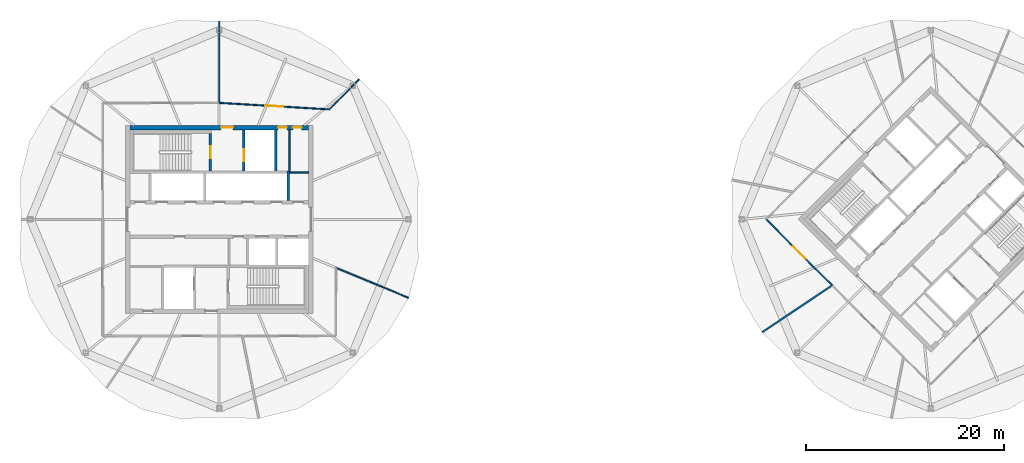
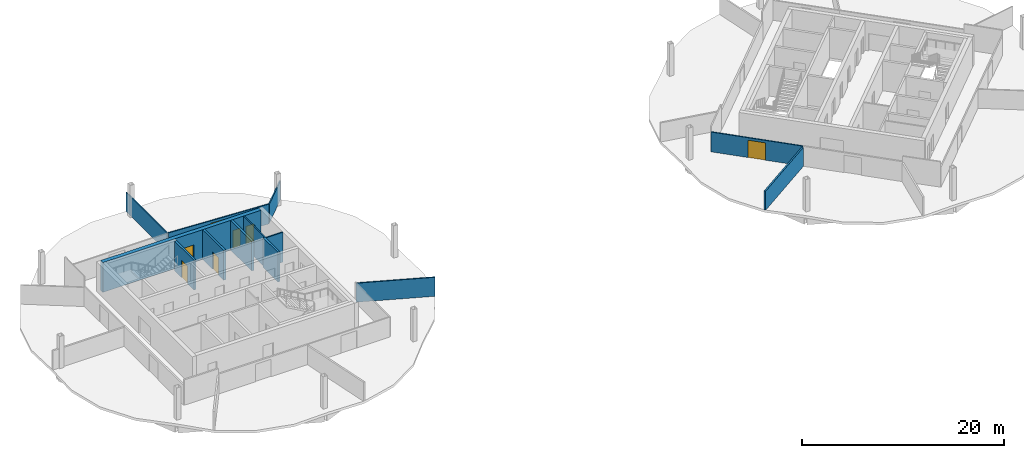
# One storey, part 6 of 10: 13 walls, 7 doors, 7 openings.
"""IFC4 building model written with IfcOpenShell, lengths in metres."""

from ifc_helpers import new_model, si_unit, direction, frame, frame_2d, origin, place, context, subcontext, project, spatial, rectangle, extrude, material, layer, layer_set, type_object, element, fill, save


model = new_model("IFC4")

# Units and contexts
model_context = context("Model", 3, precision=1e-05, world=origin(), true_north=direction((0.0, 1.0)))
body_context = subcontext(model_context, "Body", "Model", "MODEL_VIEW")
ifc_project = project(units=[si_unit("LENGTHUNIT", "METRE"), si_unit("AREAUNIT", "SQUARE_METRE"), si_unit("VOLUMEUNIT", "CUBIC_METRE"), si_unit("PLANEANGLEUNIT", "RADIAN"), si_unit("MASSUNIT", "GRAM", prefix="KILO")], contexts=[model_context])

# Site, building, storey
site_placement = place(None, origin())
site = spatial("IfcSite", under=ifc_project, at=site_placement, CompositionType="ELEMENT")
building_placement = place(site_placement, origin())
building = spatial("IfcBuilding", under=site, at=building_placement, Name="Ogive Gate Towers", CompositionType="ELEMENT")
storey_placement = place(building_placement, frame((0.0, 0.0, 232.800048828125)))
storey = spatial("IfcBuildingStorey", under=building, at=storey_placement, Name="L55", CompositionType="ELEMENT", Elevation=232.800048828125)

# Wall
ifc_material_1 = material(Name="Gypsum board acoustic partition")
ifc_layer_1 = layer(ifc_material_1, 0.175048828125)
ifc_layer_set_1 = layer_set([ifc_layer_1], Name="Acoustic partition 175")
wall_type_1 = type_object("IfcWallType", Name="Acoustic partition 175", PredefinedType="PARTITIONING", material=ifc_layer_set_1)
wall_1_placement = place(storey_placement, frame((18.918701171875, -11.424072265625, 0.0), z_axis=(0.0, 0.0, 1.0), x_axis=(0.831218279954, 0.555946194402, 0.0)))
element("IfcWall", 1, at=wall_1_placement, inside=storey, type_object=wall_type_1, Name="Partition T2-L55-005", PredefinedType="PARTITIONING", context=body_context, shape_type="SweptSolid", body=[
    extrude(rectangle(XDim=8.451416015625, YDim=0.175048828125, at=frame_2d((4.2255859375, 0.0))), origin(), (0.0, 0.0, 1.0), 2.300048828125),
])

# Wall, openings, doors
ifc_material_2 = material(Name="Concrete C60/75", Category="concrete")
ifc_layer_2 = layer(ifc_material_2, 0.449951171875)
ifc_layer_set_2 = layer_set([ifc_layer_2], Name="Core wall 450 mm")
wall_type_2 = type_object("IfcWallType", Name="Core wall 450 mm", PredefinedType="SHEAR", material=ifc_layer_set_2)
wall_2_placement = place(storey_placement, frame((-45.050048828125, 9.27490234375, 0.0), z_axis=(0.0, 0.0, 1.0), x_axis=(1.0, 0.0, 0.0)))
wall_2 = element("IfcWall", 2, at=wall_2_placement, inside=storey, type_object=wall_type_2, Name="T1 L55 Core wall 450 mm", PredefinedType="SHEAR", context=body_context, shape_type="SweptSolid", body=[
    extrude(rectangle(XDim=18.10009765625, YDim=0.449951171875, at=frame_2d((9.050048828125, 0.0))), origin(), (0.0, 0.0, 1.0), 3.599853515625),
])
opening_1_placement = place(wall_2_placement, frame((9.25, 0.0, 0.0)))
opening_1 = element("IfcOpeningElement", 3, at=opening_1_placement, cuts=wall_2, Name="Opening KD-T1-L55-18", PredefinedType="OPENING", context=body_context, shape_type="SweptSolid", body=[
    extrude(rectangle(XDim=1.199951171875, YDim=2.10009765625, at=frame_2d((0.60009765625, 1.050048828125))), frame((0.0, 0.23486328125, 0.0), z_axis=(0.0, -1.0, 0.0), x_axis=(1.0, 0.0, 0.0)), (0.0, 0.0, 1.0), 0.469970703125),
])
opening_2_placement = place(wall_2_placement, frame((15.0, 0.0, 0.0)))
opening_2 = element("IfcOpeningElement", 4, at=opening_2_placement, cuts=wall_2, Name="Opening KD-T1-L55-20", PredefinedType="OPENING", context=body_context, shape_type="SweptSolid", body=[
    extrude(rectangle(XDim=0.89990234375, YDim=2.10009765625, at=frame_2d((0.449951171875, 1.050048828125))), frame((0.0, 0.23486328125, 0.0), z_axis=(0.0, -1.0, 0.0), x_axis=(1.0, 0.0, 0.0)), (0.0, 0.0, 1.0), 0.469970703125),
])
opening_3_placement = place(wall_2_placement, frame((16.5, 0.0, 0.0)))
opening_3 = element("IfcOpeningElement", 5, at=opening_3_placement, cuts=wall_2, Name="Opening KD-T1-L55-21", PredefinedType="OPENING", context=body_context, shape_type="SweptSolid", body=[
    extrude(rectangle(XDim=0.89990234375, YDim=2.10009765625, at=frame_2d((0.449951171875, 1.050048828125))), frame((0.0, 0.23486328125, 0.0), z_axis=(0.0, -1.0, 0.0), x_axis=(1.0, 0.0, 0.0)), (0.0, 0.0, 1.0), 0.469970703125),
])
ifc_material_3 = material(Name="Timber door", Category="wood")
door_type_1 = type_object("IfcDoorType", Name="Core WC door 900 x 2100", OperationType="NOTDEFINED", PredefinedType="DOOR", material=ifc_material_3)
door_1_placement = place(opening_2_placement, origin())
door_1 = element("IfcDoor", 6, at=door_1_placement, inside=storey, type_object=door_type_1, Name="T1 L55 Core door", OperationType="SINGLE_SWING_LEFT", OverallHeight=2.10009765625, OverallWidth=0.89990234375, PredefinedType="DOOR", context=body_context, shape_type="SweptSolid", body=[
    extrude(rectangle(XDim=0.89990234375, YDim=2.10009765625, at=frame_2d((0.449951171875, 1.050048828125))), frame((0.0, 0.02490234375, 0.0), z_axis=(0.0, -1.0, 0.0), x_axis=(1.0, 0.0, 0.0)), (0.0, 0.0, 1.0), 0.050048828125),
])
fill(opening_2, door_1)
door_2_placement = place(opening_3_placement, origin())
door_2 = element("IfcDoor", 7, at=door_2_placement, inside=storey, type_object=door_type_1, Name="T1 L55 Core door", OperationType="SINGLE_SWING_RIGHT", OverallHeight=2.10009765625, OverallWidth=0.89990234375, PredefinedType="DOOR", context=body_context, shape_type="SweptSolid", body=[
    extrude(rectangle(XDim=0.89990234375, YDim=2.10009765625, at=frame_2d((0.449951171875, 1.050048828125))), frame((0.0, 0.02490234375, 0.0), z_axis=(0.0, -1.0, 0.0), x_axis=(1.0, 0.0, 0.0)), (0.0, 0.0, 1.0), 0.050048828125),
])
fill(opening_3, door_2)
ifc_material_4 = material(Name="Steel fire door", Category="steel")
door_type_2 = type_object("IfcDoorType", Name="Core door FD60S 1200 x 2100", OperationType="NOTDEFINED", PredefinedType="DOOR", material=ifc_material_4)
door_3_placement = place(opening_1_placement, origin())
door_3 = element("IfcDoor", 8, at=door_3_placement, inside=storey, type_object=door_type_2, Name="T1 L55 Fire-fighting lobby door", OperationType="SINGLE_SWING_LEFT", OverallHeight=2.10009765625, OverallWidth=1.199951171875, PredefinedType="DOOR", context=body_context, shape_type="SweptSolid", body=[
    extrude(rectangle(XDim=1.199951171875, YDim=2.10009765625, at=frame_2d((0.60009765625, 1.050048828125))), frame((0.0, 0.02490234375, 0.0), z_axis=(0.0, -1.0, 0.0), x_axis=(1.0, 0.0, 0.0)), (0.0, 0.0, 1.0), 0.050048828125),
])
fill(opening_1, door_3)

# Walls
ifc_material_5 = material(Name="Gypsum board partition")
ifc_layer_3 = layer(ifc_material_5, 0.125)
ifc_layer_set_3 = layer_set([ifc_layer_3], Name="Partition 125")
wall_type_3 = type_object("IfcWallType", Name="Partition 125", PredefinedType="PARTITIONING", material=ifc_layer_set_3)
wall_3_placement = place(storey_placement, frame((-21.8232421875, 14.1767578125, 0.0), z_axis=(0.0, 0.0, 1.0), x_axis=(-0.707106781187, -0.707106781187, 0.0)))
element("IfcWall", 9, at=wall_3_placement, inside=storey, type_object=wall_type_3, Name="Partition T1-L55-001", PredefinedType="PARTITIONING", context=body_context, shape_type="SweptSolid", body=[
    extrude(rectangle(XDim=4.246337890625, YDim=0.125, at=frame_2d((2.123046875, 0.0))), origin(), (0.0, 0.0, 1.0), 2.300048828125),
])
wall_4_placement = place(storey_placement, frame((-36.0, 20.049072265625, 0.0), z_axis=(0.0, 0.0, 1.0), x_axis=(0.0, -1.0, 0.0)))
element("IfcWall", 10, at=wall_4_placement, inside=storey, type_object=wall_type_3, Name="Partition T1-L55-002", PredefinedType="PARTITIONING", context=body_context, shape_type="SweptSolid", body=[
    extrude(rectangle(XDim=8.196533203125, YDim=0.125, at=frame_2d((4.09814453125, 0.0))), origin(), (0.0, 0.0, 1.0), 2.300048828125),
])
wall_5_placement = place(storey_placement, frame((-16.829345703125, -7.940673828125, 0.0), z_axis=(0.0, 0.0, 1.0), x_axis=(-0.923885322284, 0.382669454317, 0.0)))
element("IfcWall", 11, at=wall_5_placement, inside=storey, type_object=wall_type_3, Name="Partition T1-L55-007", PredefinedType="PARTITIONING", context=body_context, shape_type="SweptSolid", body=[
    extrude(rectangle(XDim=7.896484375, YDim=0.125, at=frame_2d((3.9482421875, 0.0))), origin(), (0.0, 0.0, 1.0), 2.300048828125),
])

# Wall, opening, door
wall_6_placement = place(storey_placement, frame((-24.8701171875, 11.1298828125, 0.0), z_axis=(0.0, 0.0, 1.0), x_axis=(-0.998245561238, 0.059209791998, 0.0)))
wall_6 = element("IfcWall", 12, at=wall_6_placement, inside=storey, type_object=wall_type_3, Name="Partition T1-L55-011", PredefinedType="PARTITIONING", context=body_context, shape_type="SweptSolid", body=[
    extrude(rectangle(XDim=11.1494140625, YDim=0.125, at=frame_2d((5.57470703125, 0.0))), origin(), (0.0, 0.0, 1.0), 2.39990234375),
])
opening_4_placement = place(wall_6_placement, frame((4.675048828125, 0.0, 0.0)))
opening_4 = element("IfcOpeningElement", 13, at=opening_4_placement, cuts=wall_6, Name="Opening T1-L55-D03", PredefinedType="OPENING", context=body_context, shape_type="SweptSolid", body=[
    extrude(rectangle(XDim=1.800048828125, YDim=2.10009765625, at=frame_2d((0.89990234375, 1.050048828125))), frame((0.0, 0.072509765625, 0.0), z_axis=(0.0, -1.0, 0.0), x_axis=(1.0, 0.0, 0.0)), (0.0, 0.0, 1.0), 0.14501953125),
])
door_type_3 = type_object("IfcDoorType", Name="Door pair 1800", OperationType="NOTDEFINED", PredefinedType="DOOR", material=ifc_material_3)
door_4_placement = place(opening_4_placement, origin())
door_4 = element("IfcDoor", 14, at=door_4_placement, inside=storey, type_object=door_type_3, Name="Door T1-L55-D03", OperationType="DOUBLE_DOOR_DOUBLE_SWING", OverallHeight=2.10009765625, OverallWidth=1.800048828125, PredefinedType="DOOR", context=body_context, shape_type="SweptSolid", body=[
    extrude(rectangle(XDim=1.800048828125, YDim=2.10009765625, at=frame_2d((0.89990234375, 1.050048828125))), frame((0.0, 0.02490234375, 0.0), z_axis=(0.0, -1.0, 0.0), x_axis=(1.0, 0.0, 0.0)), (0.0, 0.0, 1.0), 0.050048828125),
])
fill(opening_4, door_4)

wall_7_placement = place(storey_placement, frame((19.340576171875, 0.0, 0.0), z_axis=(0.0, 0.0, 1.0), x_axis=(0.707055065632, -0.707158492959, 0.0)))
wall_7 = element("IfcWall", 15, at=wall_7_placement, inside=storey, type_object=wall_type_3, Name="Partition T2-L55-008", PredefinedType="PARTITIONING", context=body_context, shape_type="SweptSolid", body=[
    extrude(rectangle(XDim=9.44189453125, YDim=0.125, at=frame_2d((4.720947265625, 0.0))), origin(), (0.0, 0.0, 1.0), 2.39990234375),
])
opening_5_placement = place(wall_7_placement, frame((3.821044921875, 0.0, 0.0)))
opening_5 = element("IfcOpeningElement", 16, at=opening_5_placement, cuts=wall_7, Name="Opening T2-L55-D01", PredefinedType="OPENING", context=body_context, shape_type="SweptSolid", body=[
    extrude(rectangle(XDim=1.800048828125, YDim=2.10009765625, at=frame_2d((0.89990234375, 1.050048828125))), frame((0.0, 0.072509765625, 0.0), z_axis=(0.0, -1.0, 0.0), x_axis=(1.0, 0.0, 0.0)), (0.0, 0.0, 1.0), 0.14501953125),
])
door_5_placement = place(opening_5_placement, origin())
door_5 = element("IfcDoor", 17, at=door_5_placement, inside=storey, type_object=door_type_3, Name="Door T2-L55-D01", OperationType="DOUBLE_DOOR_DOUBLE_SWING", OverallHeight=2.10009765625, OverallWidth=1.800048828125, PredefinedType="DOOR", context=body_context, shape_type="SweptSolid", body=[
    extrude(rectangle(XDim=1.800048828125, YDim=2.10009765625, at=frame_2d((0.89990234375, 1.050048828125))), frame((0.0, 0.02490234375, 0.0), z_axis=(0.0, -1.0, 0.0), x_axis=(1.0, 0.0, 0.0)), (0.0, 0.0, 1.0), 0.050048828125),
])
fill(opening_5, door_5)

# Walls
ifc_layer_4 = layer(ifc_material_5, 0.14990234375)
ifc_layer_set_4 = layer_set([ifc_layer_4], Name="Room partition 150 mm")
wall_type_4 = type_object("IfcWallType", Name="Room partition 150 mm", PredefinedType="PARTITIONING", material=ifc_layer_set_4)
wall_8_placement = place(storey_placement, frame((-28.875, 4.75, 0.0), z_axis=(0.0, 0.0, 1.0), x_axis=(1.0, 0.0, 0.0)))
element("IfcWall", 18, at=wall_8_placement, inside=storey, type_object=wall_type_4, Name="T1 L55 Room partition 150 mm", PredefinedType="PARTITIONING", context=body_context, shape_type="SweptSolid", body=[
    extrude(rectangle(XDim=1.925048828125, YDim=0.14990234375, at=frame_2d((0.96240234375, 0.0))), origin(), (0.0, 0.0, 1.0), 3.599853515625),
])
wall_9_placement = place(storey_placement, frame((-28.89990234375, 4.824951171875, 0.0), z_axis=(0.0, 0.0, 1.0), x_axis=(0.0, 1.0, 0.0)))
element("IfcWall", 19, at=wall_9_placement, inside=storey, type_object=wall_type_4, Name="T1 L55 Room partition 150 mm", PredefinedType="PARTITIONING", context=body_context, shape_type="SweptSolid", body=[
    extrude(rectangle(XDim=4.22509765625, YDim=0.14990234375, at=frame_2d((2.112548828125, 0.0))), origin(), (0.0, 0.0, 1.0), 3.599853515625),
])

# Wall, opening, door
ifc_layer_5 = layer(ifc_material_2, 0.25)
ifc_layer_set_5 = layer_set([ifc_layer_5], Name="Shaft wall 250 mm")
wall_type_5 = type_object("IfcWallType", Name="Shaft wall 250 mm", PredefinedType="SHEAR", material=ifc_layer_set_5)
wall_10_placement = place(storey_placement, frame((-36.89990234375, 4.875, 0.0), z_axis=(0.0, 0.0, 1.0), x_axis=(0.0, 1.0, 0.0)))
wall_10 = element("IfcWall", 20, at=wall_10_placement, inside=storey, type_object=wall_type_5, Name="T1 L55 Shaft wall 250 mm", PredefinedType="SHEAR", context=body_context, shape_type="SweptSolid", body=[
    extrude(rectangle(XDim=3.824951171875, YDim=0.25, at=frame_2d((1.91259765625, 0.0))), origin(), (0.0, 0.0, 1.0), 3.599853515625),
])
opening_6_placement = place(wall_10_placement, frame((1.324951171875, 0.0, 0.0)))
opening_6 = element("IfcOpeningElement", 21, at=opening_6_placement, cuts=wall_10, Name="Opening KD-T1-L55-16", PredefinedType="OPENING", context=body_context, shape_type="SweptSolid", body=[
    extrude(rectangle(XDim=1.199951171875, YDim=2.10009765625, at=frame_2d((0.60009765625, 1.050048828125))), frame((0.0, 0.135009765625, 0.0), z_axis=(0.0, -1.0, 0.0), x_axis=(1.0, 0.0, 0.0)), (0.0, 0.0, 1.0), 0.27001953125),
])
door_6_placement = place(opening_6_placement, origin())
door_6 = element("IfcDoor", 22, at=door_6_placement, inside=storey, type_object=door_type_2, Name="T1 L55 Stair door", OperationType="SINGLE_SWING_LEFT", OverallHeight=2.10009765625, OverallWidth=1.199951171875, PredefinedType="DOOR", context=body_context, shape_type="SweptSolid", body=[
    extrude(rectangle(XDim=1.199951171875, YDim=2.10009765625, at=frame_2d((0.60009765625, 1.050048828125))), frame((0.0, 0.02490234375, 0.0), z_axis=(0.0, -1.0, 0.0), x_axis=(1.0, 0.0, 0.0)), (0.0, 0.0, 1.0), 0.050048828125),
])
fill(opening_6, door_6)

wall_11_placement = place(storey_placement, frame((-33.5, 4.875, 0.0), z_axis=(0.0, 0.0, 1.0), x_axis=(0.0, 1.0, 0.0)))
wall_11 = element("IfcWall", 23, at=wall_11_placement, inside=storey, type_object=wall_type_5, Name="T1 L55 Shaft wall 250 mm", PredefinedType="SHEAR", context=body_context, shape_type="SweptSolid", body=[
    extrude(rectangle(XDim=4.175048828125, YDim=0.25, at=frame_2d((2.08740234375, 0.0))), origin(), (0.0, 0.0, 1.0), 3.599853515625),
])
opening_7_placement = place(wall_11_placement, frame((1.02490234375, 0.0, 0.0)))
opening_7 = element("IfcOpeningElement", 24, at=opening_7_placement, cuts=wall_11, Name="Opening LD-T1-L55-12", PredefinedType="OPENING", context=body_context, shape_type="SweptSolid", body=[
    extrude(rectangle(XDim=1.199951171875, YDim=2.10009765625, at=frame_2d((0.60009765625, 1.050048828125))), frame((0.0, 0.135009765625, 0.0), z_axis=(0.0, -1.0, 0.0), x_axis=(1.0, 0.0, 0.0)), (0.0, 0.0, 1.0), 0.27001953125),
])
ifc_material_6 = material(Name="Stainless steel landing door", Category="steel")
door_type_4 = type_object("IfcDoorType", Name="Landing door 1200 x 2100", OperationType="SLIDING_TO_LEFT", PredefinedType="DOOR", material=ifc_material_6)
door_7_placement = place(opening_7_placement, origin())
door_7 = element("IfcDoor", 25, at=door_7_placement, inside=storey, type_object=door_type_4, Name="T1 L55 Lift landing door FF1", OperationType="SLIDING_TO_LEFT", OverallHeight=2.10009765625, OverallWidth=1.199951171875, PredefinedType="DOOR", context=body_context, shape_type="SweptSolid", body=[
    extrude(rectangle(XDim=1.199951171875, YDim=2.10009765625, at=frame_2d((0.60009765625, 1.050048828125))), frame((0.0, 0.02490234375, 0.0), z_axis=(0.0, -1.0, 0.0), x_axis=(1.0, 0.0, 0.0)), (0.0, 0.0, 1.0), 0.050048828125),
])
fill(opening_7, door_7)

# Walls
wall_12_placement = place(storey_placement, frame((-30.300048828125, 4.875, 0.0), z_axis=(0.0, 0.0, 1.0), x_axis=(0.0, 1.0, 0.0)))
element("IfcWall", 26, at=wall_12_placement, inside=storey, type_object=wall_type_5, Name="T1 L55 Shaft wall 250 mm", PredefinedType="SHEAR", context=body_context, shape_type="SweptSolid", body=[
    extrude(rectangle(XDim=4.175048828125, YDim=0.25, at=frame_2d((2.08740234375, 0.0))), origin(), (0.0, 0.0, 1.0), 3.599853515625),
])
wall_13_placement = place(storey_placement, frame((-29.0, 1.925048828125, 0.0), z_axis=(0.0, 0.0, 1.0), x_axis=(0.0, 1.0, 0.0)))
element("IfcWall", 27, at=wall_13_placement, inside=storey, type_object=wall_type_5, Name="T1 L55 Shaft wall 250 mm", PredefinedType="SHEAR", context=body_context, shape_type="SweptSolid", body=[
    extrude(rectangle(XDim=2.949951171875, YDim=0.25, at=frame_2d((1.47509765625, 0.0))), origin(), (0.0, 0.0, 1.0), 3.599853515625),
])

save(model, "model.ifc")
